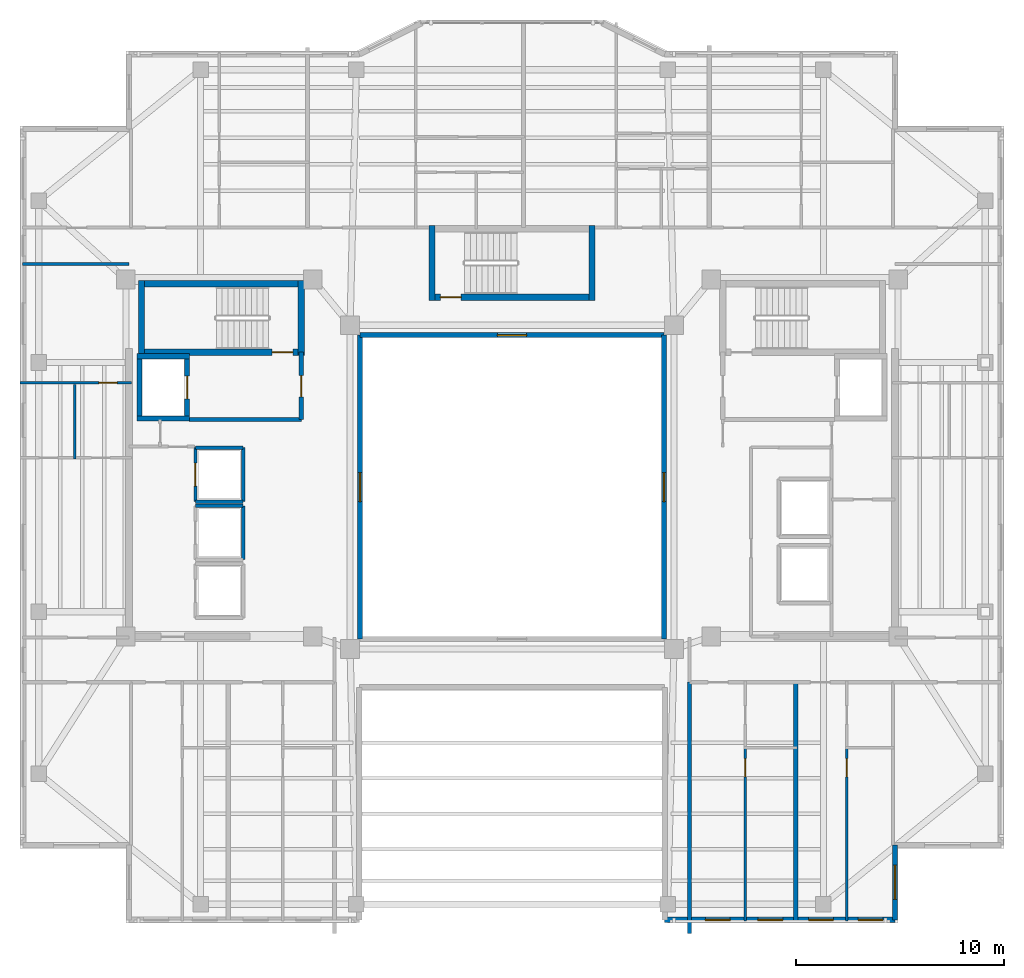
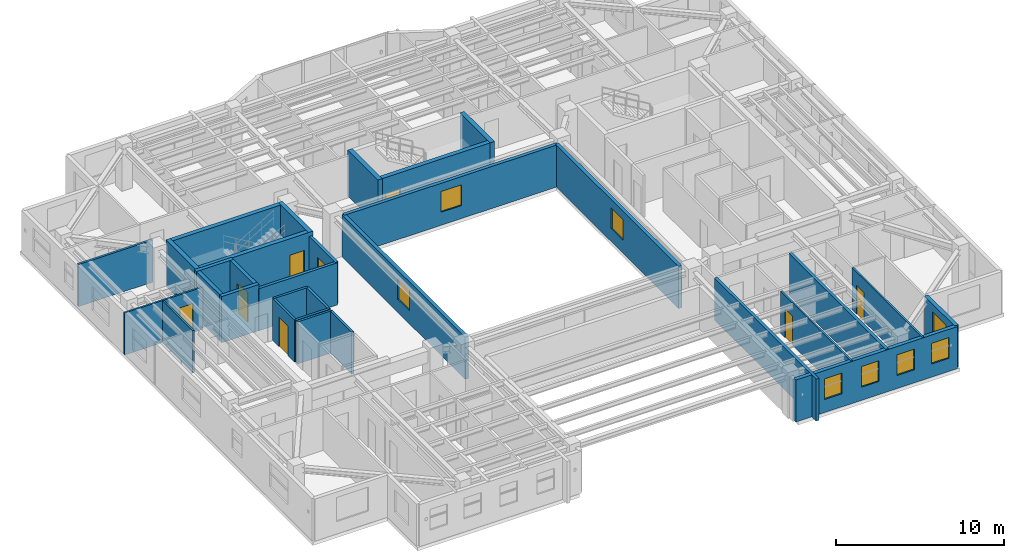
# One storey, part 6 of 13: 31 walls, 8 doors, 8 windows, 16 openings.
"""IFC4 building model written with IfcOpenShell, lengths in metres."""

from ifc_helpers import new_model, si_unit, direction, frame, frame_2d, origin, place, context, subcontext, project, spatial, rectangle, extrude, material, layer, layer_set, type_object, element, fill, save


model = new_model("IFC4")

# Units and contexts
model_context = context("Model", 3, precision=1e-05, world=origin(), true_north=direction((0.0, 1.0)))
body_context = subcontext(model_context, "Body", "Model", "MODEL_VIEW")
ifc_project = project(units=[si_unit("LENGTHUNIT", "METRE"), si_unit("AREAUNIT", "SQUARE_METRE"), si_unit("VOLUMEUNIT", "CUBIC_METRE"), si_unit("PLANEANGLEUNIT", "RADIAN"), si_unit("MASSUNIT", "GRAM", prefix="KILO")], contexts=[model_context])

# Site, building, storey
site_placement = place(None, origin())
site = spatial("IfcSite", under=ifc_project, at=site_placement, CompositionType="ELEMENT")
building_placement = place(site_placement, origin())
building = spatial("IfcBuilding", under=site, at=building_placement, Name="Tarnavaz Court Tower", CompositionType="ELEMENT")
storey_placement = place(building_placement, frame((0.0, 0.0, 223.75)))
storey = spatial("IfcBuildingStorey", under=building, at=storey_placement, Name="L61", CompositionType="ELEMENT", Elevation=223.75)

# Wall
ifc_material_1 = material(Name="Concrete C50/60", Category="concrete")
ifc_layer_1 = layer(ifc_material_1, 0.25)
ifc_layer_set_1 = layer_set([ifc_layer_1], Name="Concrete C50/60")
wall_type_1 = type_object("IfcWallType", Name="WL-CORE-250-C50", PredefinedType="SHEAR", material=ifc_layer_set_1)
wall_1_placement = place(storey_placement, frame((-17.949951171875, 3.175048828125, 0.0), z_axis=(0.0, 0.0, 1.0), x_axis=(0.0, 1.0, 0.0)))
element("IfcWall", 1, at=wall_1_placement, inside=storey, type_object=wall_type_1, Name="L61 Lift FL-W1 Shaft Wall 017", PredefinedType="SHEAR", context=body_context, shape_type="SweptSolid", body=[
    extrude(rectangle(XDim=3.25, YDim=0.25, at=frame_2d((1.625, 0.0))), origin(), (0.0, 0.0, 1.0), 3.35009765625),
])

# Wall, opening, door
wall_2_placement = place(storey_placement, frame((-15.64990234375, 3.175048828125, 0.0), z_axis=(0.0, 0.0, 1.0), x_axis=(0.0, 1.0, 0.0)))
wall_2 = element("IfcWall", 2, at=wall_2_placement, inside=storey, type_object=wall_type_1, Name="L61 Lift FL-W1 Shaft Wall 018", PredefinedType="SHEAR", context=body_context, shape_type="SweptSolid", body=[
    extrude(rectangle(XDim=3.25, YDim=0.25, at=frame_2d((1.625, 0.0))), origin(), (0.0, 0.0, 1.0), 3.35009765625),
])
opening_1_placement = place(wall_2_placement, frame((1.074951171875, 0.0, 0.0)))
opening_1 = element("IfcOpeningElement", 3, at=opening_1_placement, cuts=wall_2, Name="Opening LD1", PredefinedType="OPENING", context=body_context, shape_type="SweptSolid", body=[
    extrude(rectangle(XDim=1.10009765625, YDim=2.14990234375, at=frame_2d((0.550048828125, 1.074951171875))), frame((0.0, 0.135009765625, 0.0), z_axis=(0.0, -1.0, 0.0), x_axis=(1.0, 0.0, 0.0)), (0.0, 0.0, 1.0), 0.27001953125),
])
ifc_material_2 = material(Name="Stainless Steel", Category="steel")
door_type_1 = type_object("IfcDoorType", Name="DR-LD-1100", OperationType="NOTDEFINED", PredefinedType="DOOR", material=ifc_material_2)
door_1_placement = place(opening_1_placement, origin())
door_1 = element("IfcDoor", 4, at=door_1_placement, inside=storey, type_object=door_type_1, Name="L61 Lift Landing Door LD-FL-W1", OperationType="SLIDING_TO_LEFT", OverallHeight=2.14990234375, OverallWidth=1.10009765625, PredefinedType="DOOR", context=body_context, shape_type="SweptSolid", body=[
    extrude(rectangle(XDim=1.10009765625, YDim=2.14990234375, at=frame_2d((0.550048828125, 1.074951171875))), frame((0.0, 0.02490234375, 0.0), z_axis=(0.0, -1.0, 0.0), x_axis=(1.0, 0.0, 0.0)), (0.0, 0.0, 1.0), 0.050048828125),
])
fill(opening_1, door_1)

# Walls
for number, where, z_axis, x_axis, name in (
    (5, (-18.074951171875, 3.300048828125, 0.0), (0.0, 0.0, 1.0), (1.0, 0.0, 0.0), "L61 Lift FL-W1 Shaft Wall 019"),
    (6, (-18.074951171875, 6.300048828125, 0.0), (0.0, 0.0, 1.0), (1.0, 0.0, 0.0), "L61 Lift FL-W1 Shaft Wall 020"),
):
    element("IfcWall", number, at=place(storey_placement, frame(where, z_axis=z_axis, x_axis=x_axis)), inside=storey, type_object=wall_type_1, Name=name, PredefinedType="SHEAR", context=body_context, shape_type="SweptSolid", body=[
        extrude(rectangle(XDim=2.550048828125, YDim=0.25, at=frame_2d((1.27490234375, 0.0))), origin(), (0.0, 0.0, 1.0), 3.35009765625),
    ])
ifc_layer_2 = layer(ifc_material_1, 0.300048828125)
ifc_layer_set_2 = layer_set([ifc_layer_2], Name="Concrete C50/60")
wall_type_2 = type_object("IfcWallType", Name="WL-CORE-300-C50", PredefinedType="SHEAR", material=ifc_layer_set_2)
wall_3_placement = place(storey_placement, frame((-18.0, 9.7900390625, 0.0), z_axis=(0.0, 0.0, 1.0), x_axis=(1.0, 0.0, 0.0)))
element("IfcWall", 7, at=wall_3_placement, inside=storey, type_object=wall_type_2, Name="L61 West Stair Core Wall 001", PredefinedType="SHEAR", context=body_context, shape_type="SweptSolid", body=[
    extrude(rectangle(XDim=8.0, YDim=0.300048828125, at=frame_2d((4.0, 0.0))), origin(), (0.0, 0.0, 1.0), 3.35009765625),
])

# Wall, opening, door
wall_4_placement = place(storey_placement, frame((-18.0, 6.5, 0.0), z_axis=(0.0, 0.0, 1.0), x_axis=(1.0, 0.0, 0.0)))
wall_4 = element("IfcWall", 8, at=wall_4_placement, inside=storey, type_object=wall_type_2, Name="L61 West Stair Core Wall 002", PredefinedType="SHEAR", context=body_context, shape_type="SweptSolid", body=[
    extrude(rectangle(XDim=8.0, YDim=0.300048828125, at=frame_2d((4.0, 0.0))), origin(), (0.0, 0.0, 1.0), 3.35009765625),
])
opening_2_placement = place(wall_4_placement, frame((6.449951171875, 0.0, 0.0)))
opening_2 = element("IfcOpeningElement", 9, at=opening_2_placement, cuts=wall_4, Name="Opening D01", PredefinedType="OPENING", context=body_context, shape_type="SweptSolid", body=[
    extrude(rectangle(XDim=1.0, YDim=2.14990234375, at=frame_2d((0.5, 1.074951171875))), frame((0.0, 0.159912109375, 0.0), z_axis=(0.0, -1.0, 0.0), x_axis=(1.0, 0.0, 0.0)), (0.0, 0.0, 1.0), 0.320068359375),
])
ifc_material_3 = material(Name="Fire-Rated Hardwood Timber Core", Category="wood")
door_type_2 = type_object("IfcDoorType", Name="DR-FD90-1000", OperationType="NOTDEFINED", PredefinedType="DOOR", material=ifc_material_3)
door_2_placement = place(opening_2_placement, origin())
door_2 = element("IfcDoor", 10, at=door_2_placement, inside=storey, type_object=door_type_2, Name="L61 Stair ST-W1 Exit Door", OperationType="SINGLE_SWING_LEFT", OverallHeight=2.14990234375, OverallWidth=1.0, PredefinedType="DOOR", context=body_context, shape_type="SweptSolid", body=[
    extrude(rectangle(XDim=1.0, YDim=2.14990234375, at=frame_2d((0.5, 1.074951171875))), frame((0.0, 0.02490234375, 0.0), z_axis=(0.0, -1.0, 0.0), x_axis=(1.0, 0.0, 0.0)), (0.0, 0.0, 1.0), 0.050048828125),
])
fill(opening_2, door_2)

# Walls
for number, where, z_axis, x_axis, name in (
    (11, (-17.85009765625, 6.35009765625, 0.0), (0.0, 0.0, 1.0), (0.0, 1.0, 0.0), "L61 West Stair Core Wall 003"),
    (12, (-10.14990234375, 6.35009765625, 0.0), (0.0, 0.0, 1.0), (0.0, 1.0, 0.0), "L61 West Stair Core Wall 004"),
):
    element("IfcWall", number, at=place(storey_placement, frame(where, z_axis=z_axis, x_axis=x_axis)), inside=storey, type_object=wall_type_2, Name=name, PredefinedType="SHEAR", context=body_context, shape_type="SweptSolid", body=[
        extrude(rectangle(XDim=3.58984375, YDim=0.300048828125, at=frame_2d((1.794921875, 0.0))), origin(), (0.0, 0.0, 1.0), 3.35009765625),
    ])

# Wall, opening, door
wall_5_placement = place(storey_placement, frame((-4.0, 9.14990234375, 0.0), z_axis=(0.0, 0.0, 1.0), x_axis=(1.0, 0.0, 0.0)))
wall_5 = element("IfcWall", 13, at=wall_5_placement, inside=storey, type_object=wall_type_2, Name="L61 North Stair Core Wall 010", PredefinedType="SHEAR", context=body_context, shape_type="SweptSolid", body=[
    extrude(rectangle(XDim=8.0, YDim=0.300048828125, at=frame_2d((4.0, 0.0))), origin(), (0.0, 0.0, 1.0), 3.35009765625),
])
opening_3_placement = place(wall_5_placement, frame((0.550048828125, 0.0, 0.0)))
opening_3 = element("IfcOpeningElement", 14, at=opening_3_placement, cuts=wall_5, Name="Opening D01", PredefinedType="OPENING", context=body_context, shape_type="SweptSolid", body=[
    extrude(rectangle(XDim=1.0, YDim=2.14990234375, at=frame_2d((0.5, 1.074951171875))), frame((0.0, 0.159912109375, 0.0), z_axis=(0.0, -1.0, 0.0), x_axis=(1.0, 0.0, 0.0)), (0.0, 0.0, 1.0), 0.320068359375),
])
door_3_placement = place(opening_3_placement, origin())
door_3 = element("IfcDoor", 15, at=door_3_placement, inside=storey, type_object=door_type_2, Name="L61 Stair ST-N1 Exit Door", OperationType="SINGLE_SWING_LEFT", OverallHeight=2.14990234375, OverallWidth=1.0, PredefinedType="DOOR", context=body_context, shape_type="SweptSolid", body=[
    extrude(rectangle(XDim=1.0, YDim=2.14990234375, at=frame_2d((0.5, 1.074951171875))), frame((0.0, 0.02490234375, 0.0), z_axis=(0.0, -1.0, 0.0), x_axis=(1.0, 0.0, 0.0)), (0.0, 0.0, 1.0), 0.050048828125),
])
fill(opening_3, door_3)

# Walls
for number, where, z_axis, x_axis, name in (
    (16, (-3.85009765625, 9.0, 0.0), (0.0, 0.0, 1.0), (0.0, 1.0, 0.0), "L61 North Stair Core Wall 011"),
    (17, (3.85009765625, 9.0, 0.0), (0.0, 0.0, 1.0), (0.0, 1.0, 0.0), "L61 North Stair Core Wall 012"),
):
    element("IfcWall", number, at=place(storey_placement, frame(where, z_axis=z_axis, x_axis=x_axis)), inside=storey, type_object=wall_type_2, Name=name, PredefinedType="SHEAR", context=body_context, shape_type="SweptSolid", body=[
        extrude(rectangle(XDim=3.590087890625, YDim=0.300048828125, at=frame_2d((1.794921875, 0.0))), origin(), (0.0, 0.0, 1.0), 3.35009765625),
    ])

# Wall, opening, window
ifc_material_4 = material(Name="Precast Concrete C40/50", Category="concrete")
ifc_layer_3 = layer(ifc_material_4, 0.260009765625)
ifc_layer_set_3 = layer_set([ifc_layer_3], Name="Precast Concrete C40/50")
wall_type_3 = type_object("IfcWallType", Name="WL-EXT-260", PredefinedType="SOLIDWALL", material=ifc_layer_set_3)
wall_6_placement = place(storey_placement, frame((18.449951171875, -17.25, 0.0), z_axis=(0.0, 0.0, 1.0), x_axis=(0.0, -1.0, 0.0)))
wall_6 = element("IfcWall", 18, at=wall_6_placement, inside=storey, type_object=wall_type_3, Name="L61 Exterior Terracotta Facade Wall 14", PredefinedType="SOLIDWALL", context=body_context, shape_type="SweptSolid", body=[
    extrude(rectangle(XDim=3.60009765625, YDim=0.260009765625, at=frame_2d((1.800048828125, 0.0))), origin(), (0.0, 0.0, 1.0), 3.050048828125),
])
opening_4_placement = place(wall_6_placement, frame((0.95751953125, 0.0, 0.89990234375)))
opening_4 = element("IfcOpeningElement", 19, at=opening_4_placement, cuts=wall_6, Name="Opening W02", PredefinedType="OPENING", context=body_context, shape_type="SweptSolid", body=[
    extrude(rectangle(XDim=1.64990234375, YDim=1.60009765625, at=frame_2d((0.824951171875, 0.800048828125))), frame((0.0, 0.139892578125, 0.0), z_axis=(0.0, -1.0, 0.0), x_axis=(1.0, 0.0, 0.0)), (0.0, 0.0, 1.0), 0.280029296875),
])
ifc_material_5 = material(Name="Double-Glazed Solar Low-E Glass", Category="glass")
window_type_1 = type_object("IfcWindowType", Name="WN-APT-1650", PartitioningType="DOUBLE_PANEL_VERTICAL", PredefinedType="WINDOW", material=ifc_material_5)
window_1_placement = place(opening_4_placement, origin())
window_1 = element("IfcWindow", 20, at=window_1_placement, inside=storey, type_object=window_type_1, Name="L61 Flat 08 Kitchen Window", OverallHeight=1.60009765625, OverallWidth=1.64990234375, PartitioningType="SINGLE_PANEL", PredefinedType="WINDOW", context=body_context, shape_type="SweptSolid", body=[
    extrude(rectangle(XDim=1.64990234375, YDim=1.60009765625, at=frame_2d((0.824951171875, 0.800048828125))), frame((0.0, 0.030029296875, 0.0), z_axis=(0.0, -1.0, 0.0), x_axis=(1.0, 0.0, 0.0)), (0.0, 0.0, 1.0), 0.06005859375),
])
fill(opening_4, window_1)

# Wall, openings, windows
wall_7_placement = place(storey_placement, frame((18.449951171875, -20.85009765625, 0.0), z_axis=(0.0, 0.0, 1.0), x_axis=(-1.0, 0.0, 0.0)))
wall_7 = element("IfcWall", 21, at=wall_7_placement, inside=storey, type_object=wall_type_3, Name="L61 Exterior Terracotta Facade Wall 15", PredefinedType="SOLIDWALL", context=body_context, shape_type="SweptSolid", body=[
    extrude(rectangle(XDim=11.099853515625, YDim=0.260009765625, at=frame_2d((5.5498046875, 0.0))), origin(), (0.0, 0.0, 1.0), 3.050048828125),
])
opening_5_placement = place(wall_7_placement, frame((0.58056640625, 0.0, 0.949951171875)))
opening_5 = element("IfcOpeningElement", 22, at=opening_5_placement, cuts=wall_7, Name="Opening W05", PredefinedType="OPENING", context=body_context, shape_type="SweptSolid", body=[
    extrude(rectangle(XDim=1.199951171875, YDim=1.5, at=frame_2d((0.60009765625, 0.75))), frame((0.0, 0.139892578125, 0.0), z_axis=(0.0, -1.0, 0.0), x_axis=(1.0, 0.0, 0.0)), (0.0, 0.0, 1.0), 0.280029296875),
])
opening_6_placement = place(wall_7_placement, frame((2.966064453125, 0.0, 0.949951171875)))
opening_6 = element("IfcOpeningElement", 23, at=opening_6_placement, cuts=wall_7, Name="Opening W05", PredefinedType="OPENING", context=body_context, shape_type="SweptSolid", body=[
    extrude(rectangle(XDim=1.199951171875, YDim=1.5, at=frame_2d((0.60009765625, 0.75))), frame((0.0, 0.139892578125, 0.0), z_axis=(0.0, -1.0, 0.0), x_axis=(1.0, 0.0, 0.0)), (0.0, 0.0, 1.0), 0.280029296875),
])
opening_7_placement = place(wall_7_placement, frame((5.402099609375, 0.0, 0.949951171875)))
opening_7 = element("IfcOpeningElement", 24, at=opening_7_placement, cuts=wall_7, Name="Opening W05", PredefinedType="OPENING", context=body_context, shape_type="SweptSolid", body=[
    extrude(rectangle(XDim=1.199951171875, YDim=1.5, at=frame_2d((0.60009765625, 0.75))), frame((0.0, 0.139892578125, 0.0), z_axis=(0.0, -1.0, 0.0), x_axis=(1.0, 0.0, 0.0)), (0.0, 0.0, 1.0), 0.280029296875),
])
opening_8_placement = place(wall_7_placement, frame((7.9384765625, 0.0, 0.949951171875)))
opening_8 = element("IfcOpeningElement", 25, at=opening_8_placement, cuts=wall_7, Name="Opening W05", PredefinedType="OPENING", context=body_context, shape_type="SweptSolid", body=[
    extrude(rectangle(XDim=1.199951171875, YDim=1.5, at=frame_2d((0.60009765625, 0.75))), frame((0.0, 0.139892578125, 0.0), z_axis=(0.0, -1.0, 0.0), x_axis=(1.0, 0.0, 0.0)), (0.0, 0.0, 1.0), 0.280029296875),
])
window_type_2 = type_object("IfcWindowType", Name="WN-APT-1200", PartitioningType="SINGLE_PANEL", PredefinedType="WINDOW", material=ifc_material_5)
window_2_placement = place(opening_5_placement, origin())
window_2 = element("IfcWindow", 26, at=window_2_placement, inside=storey, type_object=window_type_2, Name="L61 Flat 08 Kitchen Window", OverallHeight=1.5, OverallWidth=1.199951171875, PartitioningType="SINGLE_PANEL", PredefinedType="WINDOW", context=body_context, shape_type="SweptSolid", body=[
    extrude(rectangle(XDim=1.199951171875, YDim=1.5, at=frame_2d((0.60009765625, 0.75))), frame((0.0, 0.030029296875, 0.0), z_axis=(0.0, -1.0, 0.0), x_axis=(1.0, 0.0, 0.0)), (0.0, 0.0, 1.0), 0.06005859375),
])
fill(opening_5, window_2)
window_3_placement = place(opening_6_placement, origin())
window_3 = element("IfcWindow", 27, at=window_3_placement, inside=storey, type_object=window_type_2, Name="L61 Flat 08 Studio Living and Sleeping Room Window", OverallHeight=1.5, OverallWidth=1.199951171875, PartitioningType="SINGLE_PANEL", PredefinedType="WINDOW", context=body_context, shape_type="SweptSolid", body=[
    extrude(rectangle(XDim=1.199951171875, YDim=1.5, at=frame_2d((0.60009765625, 0.75))), frame((0.0, 0.030029296875, 0.0), z_axis=(0.0, -1.0, 0.0), x_axis=(1.0, 0.0, 0.0)), (0.0, 0.0, 1.0), 0.06005859375),
])
fill(opening_6, window_3)
window_4_placement = place(opening_7_placement, origin())
window_4 = element("IfcWindow", 28, at=window_4_placement, inside=storey, type_object=window_type_2, Name="L61 Flat 07 Kitchen Window", OverallHeight=1.5, OverallWidth=1.199951171875, PartitioningType="SINGLE_PANEL", PredefinedType="WINDOW", context=body_context, shape_type="SweptSolid", body=[
    extrude(rectangle(XDim=1.199951171875, YDim=1.5, at=frame_2d((0.60009765625, 0.75))), frame((0.0, 0.030029296875, 0.0), z_axis=(0.0, -1.0, 0.0), x_axis=(1.0, 0.0, 0.0)), (0.0, 0.0, 1.0), 0.06005859375),
])
fill(opening_7, window_4)
window_5_placement = place(opening_8_placement, origin())
window_5 = element("IfcWindow", 29, at=window_5_placement, inside=storey, type_object=window_type_2, Name="L61 Flat 07 Studio Living and Sleeping Room Window", OverallHeight=1.5, OverallWidth=1.199951171875, PartitioningType="SINGLE_PANEL", PredefinedType="WINDOW", context=body_context, shape_type="SweptSolid", body=[
    extrude(rectangle(XDim=1.199951171875, YDim=1.5, at=frame_2d((0.60009765625, 0.75))), frame((0.0, 0.030029296875, 0.0), z_axis=(0.0, -1.0, 0.0), x_axis=(1.0, 0.0, 0.0)), (0.0, 0.0, 1.0), 0.06005859375),
])
fill(opening_8, window_5)

# Walls
ifc_material_6 = material(Name="Gypsum Fire-Board on Acoustic Metal Stud", Category="masonry")
ifc_layer_4 = layer(ifc_material_6, 0.14990234375)
ifc_layer_set_4 = layer_set([ifc_layer_4], Name="Gypsum Fire-Board on Acoustic Metal Stud")
wall_type_4 = type_object("IfcWallType", Name="WL-FIRE-150", PredefinedType="PARTITIONING", material=ifc_layer_set_4)
wall_8_placement = place(storey_placement, frame((-23.580078125, 10.75, 0.0), z_axis=(0.0, 0.0, 1.0), x_axis=(1.0, 0.0, 0.0)))
element("IfcWall", 30, at=wall_8_placement, inside=storey, type_object=wall_type_4, Name="L61 Interior Partition 100", PredefinedType="PARTITIONING", context=body_context, shape_type="SweptSolid", body=[
    extrude(rectangle(XDim=5.130126953125, YDim=0.14990234375, at=frame_2d((2.56494140625, 0.0))), origin(), (0.0, 0.0, 1.0), 3.050048828125),
])
ifc_material_7 = material(Name="Autoclaved Aerated Concrete Blockwork", Category="masonry")
ifc_layer_5 = layer(ifc_material_7, 0.199951171875)
ifc_layer_set_5 = layer_set([ifc_layer_5], Name="Autoclaved Aerated Concrete Blockwork")
wall_type_5 = type_object("IfcWallType", Name="WL-FIRE-200", PredefinedType="SOLIDWALL", material=ifc_layer_set_5)
wall_9_placement = place(storey_placement, frame((-15.550048828125, 3.25, 0.0), z_axis=(0.0, 0.0, 1.0), x_axis=(1.0, 0.0, 0.0)))
element("IfcWall", 31, at=wall_9_placement, inside=storey, type_object=wall_type_5, Name="L61 West Firefighting Lobby Wall 013", PredefinedType="SOLIDWALL", context=body_context, shape_type="SweptSolid", body=[
    extrude(rectangle(XDim=5.400146484375, YDim=0.199951171875, at=frame_2d((2.7001953125, 0.0))), origin(), (0.0, 0.0, 1.0), 3.050048828125),
])

# Wall, opening, door
wall_10_placement = place(storey_placement, frame((-10.14990234375, 3.25, 0.0), z_axis=(0.0, 0.0, 1.0), x_axis=(0.0, 1.0, 0.0)))
wall_10 = element("IfcWall", 32, at=wall_10_placement, inside=storey, type_object=wall_type_5, Name="L61 West Firefighting Lobby Wall 014", PredefinedType="SOLIDWALL", context=body_context, shape_type="SweptSolid", body=[
    extrude(rectangle(XDim=3.25, YDim=0.199951171875, at=frame_2d((1.625, 0.0))), origin(), (0.0, 0.0, 1.0), 3.050048828125),
])
opening_9_placement = place(wall_10_placement, frame((1.10009765625, 0.0, 0.0)))
opening_9 = element("IfcOpeningElement", 33, at=opening_9_placement, cuts=wall_10, Name="Opening D05", PredefinedType="OPENING", context=body_context, shape_type="SweptSolid", body=[
    extrude(rectangle(XDim=1.02001953125, YDim=2.14990234375, at=frame_2d((0.510009765625, 1.074951171875))), frame((0.0, 0.10986328125, 0.0), z_axis=(0.0, -1.0, 0.0), x_axis=(1.0, 0.0, 0.0)), (0.0, 0.0, 1.0), 0.219970703125),
])
door_type_3 = type_object("IfcDoorType", Name="DR-FD60-1000", OperationType="NOTDEFINED", PredefinedType="DOOR", material=ifc_material_3)
door_4_placement = place(opening_9_placement, origin())
door_4 = element("IfcDoor", 34, at=door_4_placement, inside=storey, type_object=door_type_3, Name="L61 West Firefighting Lobby Door", OperationType="SINGLE_SWING_RIGHT", OverallHeight=2.14990234375, OverallWidth=1.02001953125, PredefinedType="DOOR", context=body_context, shape_type="SweptSolid", body=[
    extrude(rectangle(XDim=1.02001953125, YDim=2.14990234375, at=frame_2d((0.510009765625, 1.074951171875))), frame((0.0, 0.02490234375, 0.0), z_axis=(0.0, -1.0, 0.0), x_axis=(1.0, 0.0, 0.0)), (0.0, 0.0, 1.0), 0.050048828125),
])
fill(opening_9, door_4)

# Walls
wall_11_placement = place(storey_placement, frame((13.669921875, -20.89990234375, 0.0), z_axis=(0.0, 0.0, 1.0), x_axis=(0.0, 1.0, 0.0)))
element("IfcWall", 35, at=wall_11_placement, inside=storey, type_object=wall_type_5, Name="L61 Party Wall 090", PredefinedType="SOLIDWALL", context=body_context, shape_type="SweptSolid", body=[
    extrude(rectangle(XDim=11.5, YDim=0.199951171875, at=frame_2d((5.75, 0.0))), origin(), (0.0, 0.0, 1.0), 3.050048828125),
])
wall_12_placement = place(storey_placement, frame((8.550048828125, -21.50390625, 0.0), z_axis=(0.0, 0.0, 1.0), x_axis=(0.0, 1.0, 0.0)))
element("IfcWall", 36, at=wall_12_placement, inside=storey, type_object=wall_type_5, Name="L61 Party Wall 098", PredefinedType="SOLIDWALL", context=body_context, shape_type="SweptSolid", body=[
    extrude(rectangle(XDim=12.10400390625, YDim=0.199951171875, at=frame_2d((6.052001953125, 0.0))), origin(), (0.0, 0.0, 1.0), 3.050048828125),
])

# Wall, opening, door
ifc_material_8 = material(Name="Moisture-Resistant Gypsum Board Partition", Category="masonry")
ifc_layer_6 = layer(ifc_material_8, 0.1201171875)
ifc_layer_set_6 = layer_set([ifc_layer_6], Name="Moisture-Resistant Gypsum Board Partition")
wall_type_6 = type_object("IfcWallType", Name="WL-PART-120", PredefinedType="PARTITIONING", material=ifc_layer_set_6)
wall_13_placement = place(storey_placement, frame((11.23388671875, -20.89990234375, 0.0), z_axis=(0.0, 0.0, 1.0), x_axis=(0.0, 1.0, 0.0)))
wall_13 = element("IfcWall", 37, at=wall_13_placement, inside=storey, type_object=wall_type_6, Name="L61 Interior Partition 091", PredefinedType="PARTITIONING", context=body_context, shape_type="SweptSolid", body=[
    extrude(rectangle(XDim=8.33984375, YDim=0.1201171875, at=frame_2d((4.169921875, 0.0))), origin(), (0.0, 0.0, 1.0), 3.050048828125),
])
opening_10_placement = place(wall_13_placement, frame((6.93994140625, 0.0, 0.0)))
opening_10 = element("IfcOpeningElement", 38, at=opening_10_placement, cuts=wall_13, Name="Opening D14", PredefinedType="OPENING", context=body_context, shape_type="SweptSolid", body=[
    extrude(rectangle(XDim=0.8798828125, YDim=2.10009765625, at=frame_2d((0.43994140625, 1.050048828125))), frame((0.0, 0.070068359375, 0.0), z_axis=(0.0, -1.0, 0.0), x_axis=(1.0, 0.0, 0.0)), (0.0, 0.0, 1.0), 0.14013671875),
])
ifc_material_9 = material(Name="Engineered Oak Timber", Category="wood")
door_type_4 = type_object("IfcDoorType", Name="DR-INT-900", OperationType="NOTDEFINED", PredefinedType="DOOR", material=ifc_material_9)
door_5_placement = place(opening_10_placement, origin())
door_5 = element("IfcDoor", 39, at=door_5_placement, inside=storey, type_object=door_type_4, Name="L61 Flat 07 Kitchen Door", OperationType="SINGLE_SWING_LEFT", OverallHeight=2.10009765625, OverallWidth=0.8798828125, PredefinedType="DOOR", context=body_context, shape_type="SweptSolid", body=[
    extrude(rectangle(XDim=0.8798828125, YDim=2.10009765625, at=frame_2d((0.43994140625, 1.050048828125))), frame((0.0, 0.02490234375, 0.0), z_axis=(0.0, -1.0, 0.0), x_axis=(1.0, 0.0, 0.0)), (0.0, 0.0, 1.0), 0.050048828125),
])
fill(opening_10, door_5)

wall_14_placement = place(storey_placement, frame((16.1298828125, -20.89990234375, 0.0), z_axis=(0.0, 0.0, 1.0), x_axis=(0.0, 1.0, 0.0)))
wall_14 = element("IfcWall", 40, at=wall_14_placement, inside=storey, type_object=wall_type_6, Name="L61 Interior Partition 094", PredefinedType="PARTITIONING", context=body_context, shape_type="SweptSolid", body=[
    extrude(rectangle(XDim=8.33984375, YDim=0.1201171875, at=frame_2d((4.169921875, 0.0))), origin(), (0.0, 0.0, 1.0), 3.050048828125),
])
opening_11_placement = place(wall_14_placement, frame((6.93994140625, 0.0, 0.0)))
opening_11 = element("IfcOpeningElement", 41, at=opening_11_placement, cuts=wall_14, Name="Opening D14", PredefinedType="OPENING", context=body_context, shape_type="SweptSolid", body=[
    extrude(rectangle(XDim=0.8798828125, YDim=2.10009765625, at=frame_2d((0.43994140625, 1.050048828125))), frame((0.0, 0.070068359375, 0.0), z_axis=(0.0, -1.0, 0.0), x_axis=(1.0, 0.0, 0.0)), (0.0, 0.0, 1.0), 0.14013671875),
])
door_6_placement = place(opening_11_placement, origin())
door_6 = element("IfcDoor", 42, at=door_6_placement, inside=storey, type_object=door_type_4, Name="L61 Flat 08 Kitchen Door", OperationType="SINGLE_SWING_RIGHT", OverallHeight=2.10009765625, OverallWidth=0.8798828125, PredefinedType="DOOR", context=body_context, shape_type="SweptSolid", body=[
    extrude(rectangle(XDim=0.8798828125, YDim=2.10009765625, at=frame_2d((0.43994140625, 1.050048828125))), frame((0.0, 0.02490234375, 0.0), z_axis=(0.0, -1.0, 0.0), x_axis=(1.0, 0.0, 0.0)), (0.0, 0.0, 1.0), 0.050048828125),
])
fill(opening_11, door_6)

wall_15_placement = place(storey_placement, frame((-23.699951171875, 5.02001953125, 0.0), z_axis=(0.0, 0.0, 1.0), x_axis=(1.0, 0.0, 0.0)))
wall_15 = element("IfcWall", 43, at=wall_15_placement, inside=storey, type_object=wall_type_6, Name="L61 Interior Partition 112", PredefinedType="PARTITIONING", context=body_context, shape_type="SweptSolid", body=[
    extrude(rectangle(XDim=5.369873046875, YDim=0.1201171875, at=frame_2d((2.68505859375, 0.0))), origin(), (0.0, 0.0, 1.0), 3.050048828125),
])
opening_12_placement = place(wall_15_placement, frame((3.800048828125, 0.0, 0.0)))
opening_12 = element("IfcOpeningElement", 44, at=opening_12_placement, cuts=wall_15, Name="Opening D14", PredefinedType="OPENING", context=body_context, shape_type="SweptSolid", body=[
    extrude(rectangle(XDim=0.8798828125, YDim=2.10009765625, at=frame_2d((0.43994140625, 1.050048828125))), frame((0.0, 0.070068359375, 0.0), z_axis=(0.0, -1.0, 0.0), x_axis=(1.0, 0.0, 0.0)), (0.0, 0.0, 1.0), 0.14013671875),
])
door_7_placement = place(opening_12_placement, origin())
door_7 = element("IfcDoor", 45, at=door_7_placement, inside=storey, type_object=door_type_4, Name="L61 Flat 09 Study Door", OperationType="SINGLE_SWING_LEFT", OverallHeight=2.10009765625, OverallWidth=0.8798828125, PredefinedType="DOOR", context=body_context, shape_type="SweptSolid", body=[
    extrude(rectangle(XDim=0.8798828125, YDim=2.10009765625, at=frame_2d((0.43994140625, 1.050048828125))), frame((0.0, 0.02490234375, 0.0), z_axis=(0.0, -1.0, 0.0), x_axis=(1.0, 0.0, 0.0)), (0.0, 0.0, 1.0), 0.050048828125),
])
fill(opening_12, door_7)

# Walls
wall_16_placement = place(storey_placement, frame((-21.06494140625, 1.360107421875, 0.0), z_axis=(0.0, 0.0, 1.0), x_axis=(0.0, 1.0, 0.0)))
element("IfcWall", 46, at=wall_16_placement, inside=storey, type_object=wall_type_6, Name="L61 Interior Partition 113", PredefinedType="PARTITIONING", context=body_context, shape_type="SweptSolid", body=[
    extrude(rectangle(XDim=3.579833984375, YDim=0.1201171875, at=frame_2d((1.7900390625, 0.0))), origin(), (0.0, 0.0, 1.0), 3.050048828125),
])
ifc_layer_7 = layer(ifc_material_7, 0.159912109375)
ifc_layer_set_7 = layer_set([ifc_layer_7], Name="Autoclaved Aerated Concrete Blockwork")
wall_type_7 = type_object("IfcWallType", Name="WL-SHAFT-150", PredefinedType="SOLIDWALL", material=ifc_layer_set_7)
wall_17_placement = place(storey_placement, frame((-12.949951171875, -3.5, 0.0), z_axis=(0.0, 0.0, 1.0), x_axis=(0.0, 1.0, 0.0)))
element("IfcWall", 47, at=wall_17_placement, inside=storey, type_object=wall_type_7, Name="L61 Lift PL-H2 Shaft Wall 026", PredefinedType="SOLIDWALL", context=body_context, shape_type="SweptSolid", body=[
    extrude(rectangle(XDim=2.60009765625, YDim=0.159912109375, at=frame_2d((1.300048828125, 0.0))), origin(), (0.0, 0.0, 1.0), 3.050048828125),
])
wall_18_placement = place(storey_placement, frame((-15.25, -0.89990234375, 0.0), z_axis=(0.0, 0.0, 1.0), x_axis=(1.0, 0.0, 0.0)))
element("IfcWall", 48, at=wall_18_placement, inside=storey, type_object=wall_type_7, Name="L61 Lift PL-H2 Shaft Wall 028", PredefinedType="SOLIDWALL", context=body_context, shape_type="SweptSolid", body=[
    extrude(rectangle(XDim=2.300048828125, YDim=0.159912109375, at=frame_2d((1.14990234375, 0.0))), origin(), (0.0, 0.0, 1.0), 3.050048828125),
])

# Wall, opening, door
wall_19_placement = place(storey_placement, frame((-15.25, -0.699951171875, 0.0), z_axis=(0.0, 0.0, 1.0), x_axis=(0.0, 1.0, 0.0)))
wall_19 = element("IfcWall", 49, at=wall_19_placement, inside=storey, type_object=wall_type_7, Name="L61 Lift PL-H3 Shaft Wall 029", PredefinedType="SOLIDWALL", context=body_context, shape_type="SweptSolid", body=[
    extrude(rectangle(XDim=2.599853515625, YDim=0.159912109375, at=frame_2d((1.2998046875, 0.0))), origin(), (0.0, 0.0, 1.0), 3.050048828125),
])
opening_13_placement = place(wall_19_placement, frame((0.75, 0.0, 0.0)))
opening_13 = element("IfcOpeningElement", 50, at=opening_13_placement, cuts=wall_19, Name="Opening LD1", PredefinedType="OPENING", context=body_context, shape_type="SweptSolid", body=[
    extrude(rectangle(XDim=1.10009765625, YDim=2.14990234375, at=frame_2d((0.550048828125, 1.074951171875))), frame((0.0, 0.08984375, 0.0), z_axis=(0.0, -1.0, 0.0), x_axis=(1.0, 0.0, 0.0)), (0.0, 0.0, 1.0), 0.179931640625),
])
door_8_placement = place(opening_13_placement, origin())
door_8 = element("IfcDoor", 51, at=door_8_placement, inside=storey, type_object=door_type_1, Name="L61 Lift Landing Door LD-PL-H3", OperationType="SLIDING_TO_LEFT", OverallHeight=2.14990234375, OverallWidth=1.10009765625, PredefinedType="DOOR", context=body_context, shape_type="SweptSolid", body=[
    extrude(rectangle(XDim=1.10009765625, YDim=2.14990234375, at=frame_2d((0.550048828125, 1.074951171875))), frame((0.0, 0.02490234375, 0.0), z_axis=(0.0, -1.0, 0.0), x_axis=(1.0, 0.0, 0.0)), (0.0, 0.0, 1.0), 0.050048828125),
])
fill(opening_13, door_8)

# Walls
wall_20_placement = place(storey_placement, frame((-12.949951171875, -0.699951171875, 0.0), z_axis=(0.0, 0.0, 1.0), x_axis=(0.0, 1.0, 0.0)))
element("IfcWall", 52, at=wall_20_placement, inside=storey, type_object=wall_type_7, Name="L61 Lift PL-H3 Shaft Wall 030", PredefinedType="SOLIDWALL", context=body_context, shape_type="SweptSolid", body=[
    extrude(rectangle(XDim=2.599853515625, YDim=0.159912109375, at=frame_2d((1.2998046875, 0.0))), origin(), (0.0, 0.0, 1.0), 3.050048828125),
])
for number, where, z_axis, x_axis, name in (
    (53, (-15.25, -0.699951171875, 0.0), (0.0, 0.0, 1.0), (1.0, 0.0, 0.0), "L61 Lift PL-H3 Shaft Wall 031"),
    (54, (-15.25, 1.89990234375, 0.0), (0.0, 0.0, 1.0), (1.0, 0.0, 0.0), "L61 Lift PL-H3 Shaft Wall 032"),
):
    element("IfcWall", number, at=place(storey_placement, frame(where, z_axis=z_axis, x_axis=x_axis)), inside=storey, type_object=wall_type_7, Name=name, PredefinedType="SOLIDWALL", context=body_context, shape_type="SweptSolid", body=[
        extrude(rectangle(XDim=2.300048828125, YDim=0.159912109375, at=frame_2d((1.14990234375, 0.0))), origin(), (0.0, 0.0, 1.0), 3.050048828125),
    ])

# Wall, opening, window
ifc_layer_8 = layer(ifc_material_4, 0.239990234375)
ifc_layer_set_8 = layer_set([ifc_layer_8], Name="Precast Concrete C40/50")
wall_type_8 = type_object("IfcWallType", Name="WL-WELL-240", PredefinedType="SOLIDWALL", material=ifc_layer_set_8)
wall_21_placement = place(storey_placement, frame((7.320068359375, -7.320068359375, 0.0), z_axis=(0.0, 0.0, 1.0), x_axis=(0.0, 1.0, 0.0)))
wall_21 = element("IfcWall", 55, at=wall_21_placement, inside=storey, type_object=wall_type_8, Name="L61 Badgir Light-Well Exterior Wall E", PredefinedType="SOLIDWALL", context=body_context, shape_type="SweptSolid", body=[
    extrude(rectangle(XDim=14.64013671875, YDim=0.239990234375, at=frame_2d((7.320068359375, 0.0))), origin(), (0.0, 0.0, 1.0), 3.050048828125),
])
opening_14_placement = place(wall_21_placement, frame((6.6201171875, 0.0, 0.949951171875)))
opening_14 = element("IfcOpeningElement", 56, at=opening_14_placement, cuts=wall_21, Name="Opening W13", PredefinedType="OPENING", context=body_context, shape_type="SweptSolid", body=[
    extrude(rectangle(XDim=1.39990234375, YDim=1.5, at=frame_2d((0.699951171875, 0.75))), frame((0.0, 0.1298828125, 0.0), z_axis=(0.0, -1.0, 0.0), x_axis=(1.0, 0.0, 0.0)), (0.0, 0.0, 1.0), 0.260009765625),
])
window_type_3 = type_object("IfcWindowType", Name="WN-WEL-1400", PartitioningType="SINGLE_PANEL", PredefinedType="WINDOW", material=ifc_material_5)
window_6_placement = place(opening_14_placement, origin())
window_6 = element("IfcWindow", 57, at=window_6_placement, inside=storey, type_object=window_type_3, Name="L61 Courtyard Gallery Window E", OverallHeight=1.5, OverallWidth=1.39990234375, PartitioningType="SINGLE_PANEL", PredefinedType="WINDOW", context=body_context, shape_type="SweptSolid", body=[
    extrude(rectangle(XDim=1.39990234375, YDim=1.5, at=frame_2d((0.699951171875, 0.75))), frame((0.0, 0.030029296875, 0.0), z_axis=(0.0, -1.0, 0.0), x_axis=(1.0, 0.0, 0.0)), (0.0, 0.0, 1.0), 0.06005859375),
])
fill(opening_14, window_6)

wall_22_placement = place(storey_placement, frame((7.320068359375, 7.320068359375, 0.0), z_axis=(0.0, 0.0, 1.0), x_axis=(-1.0, 0.0, 0.0)))
wall_22 = element("IfcWall", 58, at=wall_22_placement, inside=storey, type_object=wall_type_8, Name="L61 Badgir Light-Well Exterior Wall N", PredefinedType="SOLIDWALL", context=body_context, shape_type="SweptSolid", body=[
    extrude(rectangle(XDim=14.64013671875, YDim=0.239990234375, at=frame_2d((7.320068359375, 0.0))), origin(), (0.0, 0.0, 1.0), 3.050048828125),
])
opening_15_placement = place(wall_22_placement, frame((6.6201171875, 0.0, 0.949951171875)))
opening_15 = element("IfcOpeningElement", 59, at=opening_15_placement, cuts=wall_22, Name="Opening W13", PredefinedType="OPENING", context=body_context, shape_type="SweptSolid", body=[
    extrude(rectangle(XDim=1.39990234375, YDim=1.5, at=frame_2d((0.699951171875, 0.75))), frame((0.0, 0.1298828125, 0.0), z_axis=(0.0, -1.0, 0.0), x_axis=(1.0, 0.0, 0.0)), (0.0, 0.0, 1.0), 0.260009765625),
])
window_7_placement = place(opening_15_placement, origin())
window_7 = element("IfcWindow", 60, at=window_7_placement, inside=storey, type_object=window_type_3, Name="L61 Courtyard Gallery Window N", OverallHeight=1.5, OverallWidth=1.39990234375, PartitioningType="SINGLE_PANEL", PredefinedType="WINDOW", context=body_context, shape_type="SweptSolid", body=[
    extrude(rectangle(XDim=1.39990234375, YDim=1.5, at=frame_2d((0.699951171875, 0.75))), frame((0.0, 0.030029296875, 0.0), z_axis=(0.0, -1.0, 0.0), x_axis=(1.0, 0.0, 0.0)), (0.0, 0.0, 1.0), 0.06005859375),
])
fill(opening_15, window_7)

wall_23_placement = place(storey_placement, frame((-7.320068359375, 7.320068359375, 0.0), z_axis=(0.0, 0.0, 1.0), x_axis=(0.0, -1.0, 0.0)))
wall_23 = element("IfcWall", 61, at=wall_23_placement, inside=storey, type_object=wall_type_8, Name="L61 Badgir Light-Well Exterior Wall W", PredefinedType="SOLIDWALL", context=body_context, shape_type="SweptSolid", body=[
    extrude(rectangle(XDim=14.64013671875, YDim=0.239990234375, at=frame_2d((7.320068359375, 0.0))), origin(), (0.0, 0.0, 1.0), 3.050048828125),
])
opening_16_placement = place(wall_23_placement, frame((6.6201171875, 0.0, 0.949951171875)))
opening_16 = element("IfcOpeningElement", 62, at=opening_16_placement, cuts=wall_23, Name="Opening W13", PredefinedType="OPENING", context=body_context, shape_type="SweptSolid", body=[
    extrude(rectangle(XDim=1.39990234375, YDim=1.5, at=frame_2d((0.699951171875, 0.75))), frame((0.0, 0.1298828125, 0.0), z_axis=(0.0, -1.0, 0.0), x_axis=(1.0, 0.0, 0.0)), (0.0, 0.0, 1.0), 0.260009765625),
])
window_8_placement = place(opening_16_placement, origin())
window_8 = element("IfcWindow", 63, at=window_8_placement, inside=storey, type_object=window_type_3, Name="L61 Courtyard Gallery Window W", OverallHeight=1.5, OverallWidth=1.39990234375, PartitioningType="SINGLE_PANEL", PredefinedType="WINDOW", context=body_context, shape_type="SweptSolid", body=[
    extrude(rectangle(XDim=1.39990234375, YDim=1.5, at=frame_2d((0.699951171875, 0.75))), frame((0.0, 0.030029296875, 0.0), z_axis=(0.0, -1.0, 0.0), x_axis=(1.0, 0.0, 0.0)), (0.0, 0.0, 1.0), 0.06005859375),
])
fill(opening_16, window_8)

save(model, "model.ifc")
